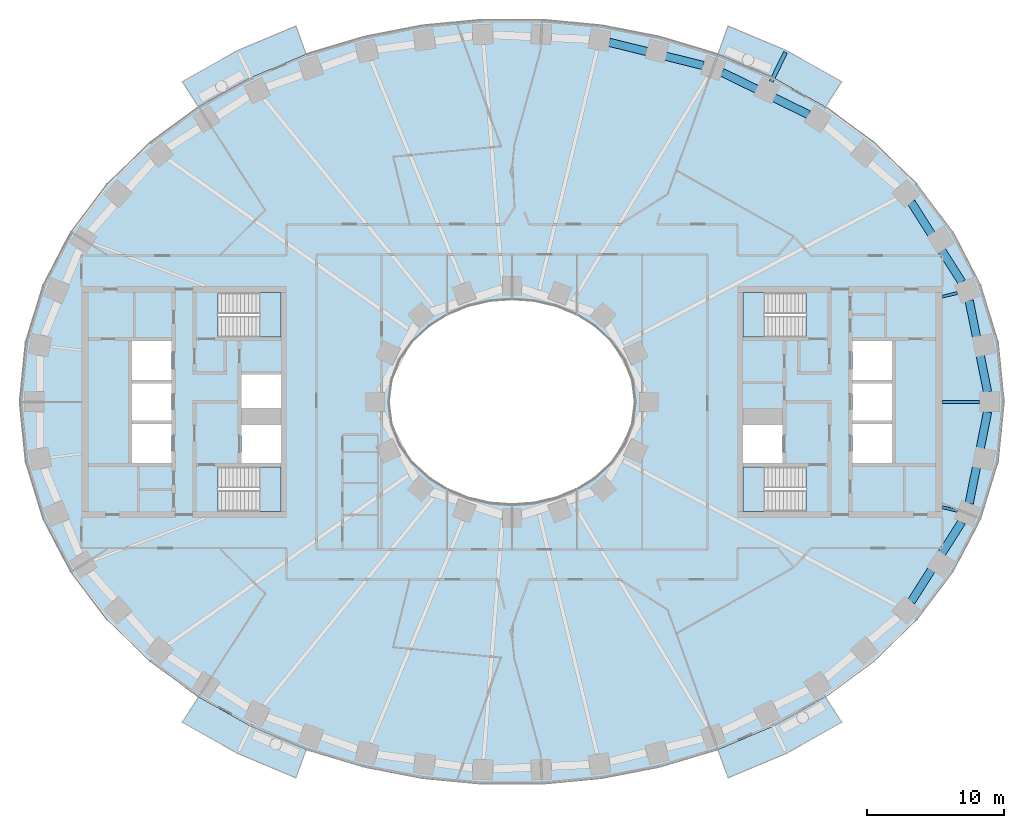
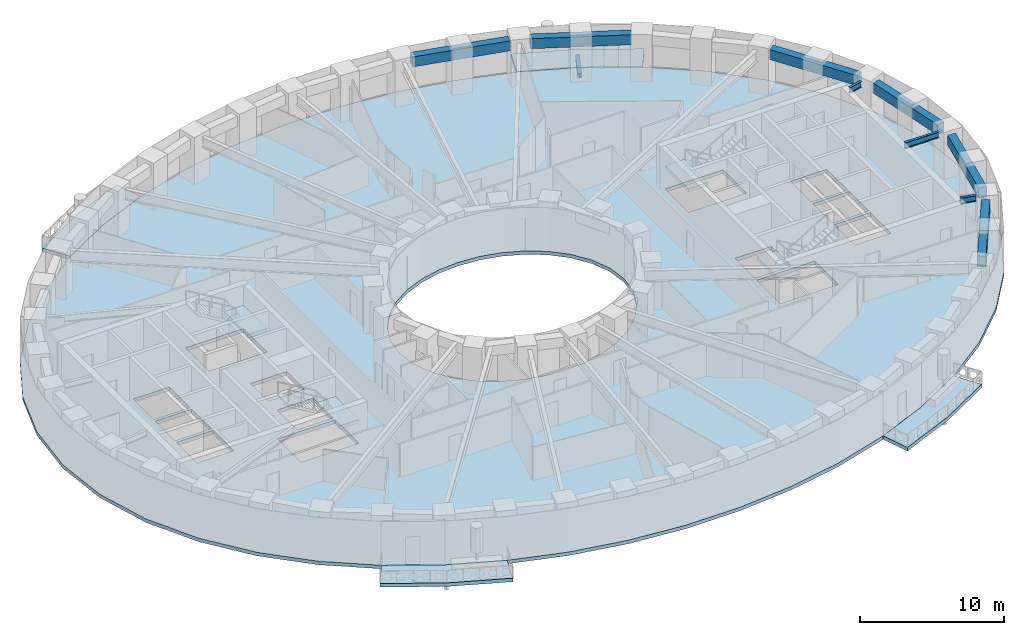
# One storey, part 2 of 15: 10 beams, 9 slabs, 4 elements without a shape of their own.
"""IFC4 building model written with IfcOpenShell, lengths in metres."""

from ifc_helpers import new_model, si_unit, direction, frame, origin, origin_2d, place, context, subcontext, project, spatial, polyline, rectangle, i_section, outline, extrude, material, layer, layer_set, material_profile, profile_set, type_object, element, aggregate, save


model = new_model("IFC4")

# Units and contexts
model_context = context("Model", 3, precision=1e-05, world=origin(), true_north=direction((0.0, 1.0)))
body_context = subcontext(model_context, "Body", "Model", "MODEL_VIEW")
ifc_project = project(units=[si_unit("LENGTHUNIT", "METRE"), si_unit("AREAUNIT", "SQUARE_METRE"), si_unit("VOLUMEUNIT", "CUBIC_METRE"), si_unit("PLANEANGLEUNIT", "RADIAN"), si_unit("MASSUNIT", "GRAM", prefix="KILO")], contexts=[model_context])

# Site, building, storey
site_placement = place(None, origin())
site = spatial("IfcSite", under=ifc_project, at=site_placement, CompositionType="ELEMENT")
building_placement = place(site_placement, origin())
building = spatial("IfcBuilding", under=site, at=building_placement, Name="Noorbagh Ring Tower", CompositionType="ELEMENT")
storey_placement = place(building_placement, frame((0.0, 0.0, 50.5)))
storey = spatial("IfcBuildingStorey", under=building, at=storey_placement, Name="L10", CompositionType="ELEMENT", Elevation=50.5)

# Beams
ifc_material_1 = material(Name="Steel S355", Category="steel")
ifc_material_profile_1 = material_profile(ifc_material_1, i_section(OverallWidth=0.300048828125, OverallDepth=0.39990234375, WebThickness=0.013427734375, FlangeThickness=0.02392578125, FilletRadius=0.027099609375, at=origin_2d()), Name="HEB400")
ifc_profile_set_1 = profile_set([ifc_material_profile_1], Name="Steel S355")
beam_type_1 = type_object("IfcBeamType", Name="STR-BALCONY-BRACKET-HEB400", PredefinedType="BEAM", material=ifc_profile_set_1)
beam_1_placement = place(storey_placement, frame((18.967041015625, 23.441162109375, -0.5), z_axis=(0.439219349849, 0.898379854359, 0.0), x_axis=(-0.898379854359, 0.439219349849, 0.0)))
element("IfcBeam", 1, at=beam_1_placement, inside=storey, type_object=beam_type_1, Name="Balcony bracket beam BN02", PredefinedType="BEAM", context=body_context, shape_type="SweptSolid", body=[
    extrude(i_section(OverallWidth=0.300048828125, OverallDepth=0.39990234375, WebThickness=0.013427734375, FlangeThickness=0.02392578125, FilletRadius=0.027099609375, at=origin_2d()), origin(), (0.0, 0.0, 1.0), 2.375244140625),
])
ifc_material_2 = material(Name="Steel S355", Category="steel")
ifc_material_profile_2 = material_profile(ifc_material_2, i_section(OverallWidth=0.199951171875, OverallDepth=0.5, WebThickness=0.01025390625, FlangeThickness=0.01611328125, FilletRadius=0.02099609375, at=origin_2d()), Name="IPE500")
ifc_profile_set_2 = profile_set([ifc_material_profile_2], Name="Steel S355")
beam_type_2 = type_object("IfcBeamType", Name="STR-RAD-IPE500", PredefinedType="BEAM", material=ifc_profile_set_2)
beam_2_placement = place(storey_placement, frame((34.214599609375, 0.0, 3.449951171875), z_axis=(-1.0, 0.0, 0.0), x_axis=(0.0, -1.0, 0.0)))
element("IfcBeam", 2, at=beam_2_placement, inside=storey, type_object=beam_type_2, Name="L10/bm/RD01", PredefinedType="BEAM", context=body_context, shape_type="SweptSolid", body=[
    extrude(i_section(OverallWidth=0.199951171875, OverallDepth=0.5, WebThickness=0.01025390625, FlangeThickness=0.01611328125, FilletRadius=0.02099609375, at=origin_2d()), origin(), (0.0, 0.0, 1.0), 2.734619140625),
])
for number, where, z_axis, x_axis, name in (
    (3, (32.587890625, 7.973876953125, 3.449951171875), (-0.971339703518, -0.237695562369, 0.0), (0.237695562369, -0.971339703518, 0.0), "L10/bm/RD03"),
    (4, (32.587890625, -7.973876953125, 3.449951171875), (-0.971339703518, 0.237695562369, 0.0), (-0.237695562369, -0.971339703518, 0.0), "L10/bm/RD45"),
):
    element("IfcBeam", number, at=place(storey_placement, frame(where, z_axis=z_axis, x_axis=x_axis)), inside=storey, type_object=beam_type_2, Name=name, PredefinedType="BEAM", context=body_context, shape_type="SweptSolid", body=[
        extrude(i_section(OverallWidth=0.199951171875, OverallDepth=0.5, WebThickness=0.01025390625, FlangeThickness=0.01611328125, FilletRadius=0.02099609375, at=origin_2d()), origin(), (0.0, 0.0, 1.0), 1.14013671875),
    ])
ifc_material_3 = material(Name="Concrete C40/50", Category="concrete")
ifc_material_profile_3 = material_profile(ifc_material_3, rectangle(XDim=0.60009765625, YDim=0.85009765625, at=origin_2d()), Name="RC600x850")
ifc_profile_set_3 = profile_set([ifc_material_profile_3], Name="Concrete C40/50")
beam_type_3 = type_object("IfcBeamType", Name="STR-SB-RC600x850-C40-50", PredefinedType="BEAM", material=ifc_profile_set_3)
beam_3_placement = place(storey_placement, frame((34.7978515625, 0.73046875, 3.27490234375), z_axis=(-0.197244389947, 0.980354349526, 0.0), x_axis=(-0.980354349526, -0.197244389947, 0.0)))
element("IfcBeam", 5, at=beam_3_placement, inside=storey, type_object=beam_type_3, Name="L10/bm/SP01", PredefinedType="BEAM", context=body_context, shape_type="SweptSolid", body=[
    extrude(rectangle(XDim=0.60009765625, YDim=0.85009765625, at=origin_2d()), origin(), (0.0, 0.0, 1.0), 6.82373046875),
])
beam_4_placement = place(storey_placement, frame((32.908203125, 8.77587890625, 3.27490234375), z_axis=(-0.535194304559, 0.844728983975, 0.0), x_axis=(-0.844728983975, -0.535194304559, 0.0)))
element("IfcBeam", 6, at=beam_4_placement, inside=storey, type_object=beam_type_3, Name="L10/bm/SP03", PredefinedType="BEAM", context=body_context, shape_type="SweptSolid", body=[
    extrude(rectangle(XDim=0.60009765625, YDim=0.85009765625, at=origin_2d()), origin(), (0.0, 0.0, 1.0), 6.9013671875),
])
beam_5_placement = place(storey_placement, frame((21.701416015625, 21.02294921875, 3.27490234375), z_axis=(-0.898409265653, 0.439159186843, 0.0), x_axis=(-0.439159186843, -0.898409265653, 0.0)))
element("IfcBeam", 7, at=beam_5_placement, inside=storey, type_object=beam_type_3, Name="L10/bm/SP07", PredefinedType="BEAM", context=body_context, shape_type="SweptSolid", body=[
    extrude(rectangle(XDim=0.60009765625, YDim=0.85009765625, at=origin_2d()), origin(), (0.0, 0.0, 1.0), 7.048095703125),
])
beam_6_placement = place(storey_placement, frame((13.996826171875, 24.616943359375, 3.27490234375), z_axis=(-0.970830070282, 0.23976858559, 0.0), x_axis=(-0.23976858559, -0.970830070282, 0.0)))
element("IfcBeam", 8, at=beam_6_placement, inside=storey, type_object=beam_type_3, Name="L10/bm/SP09", PredefinedType="BEAM", context=body_context, shape_type="SweptSolid", body=[
    extrude(rectangle(XDim=0.60009765625, YDim=0.85009765625, at=origin_2d()), origin(), (0.0, 0.0, 1.0), 7.081787109375),
])
beam_7_placement = place(storey_placement, frame((29.214599609375, -14.605712890625, 3.27490234375), z_axis=(0.535194304559, 0.844728983975, 0.0), x_axis=(-0.844728983975, 0.535194304559, 0.0)))
element("IfcBeam", 9, at=beam_7_placement, inside=storey, type_object=beam_type_3, Name="L10/bm/SP43", PredefinedType="BEAM", context=body_context, shape_type="SweptSolid", body=[
    extrude(rectangle(XDim=0.60009765625, YDim=0.85009765625, at=origin_2d()), origin(), (0.0, 0.0, 1.0), 6.9013671875),
])
beam_8_placement = place(storey_placement, frame((33.451904296875, -7.420166015625, 3.27490234375), z_axis=(0.197244389947, 0.980354349526, 0.0), x_axis=(-0.980354349526, 0.197244389947, 0.0)))
element("IfcBeam", 10, at=beam_8_placement, inside=storey, type_object=beam_type_3, Name="L10/bm/SP45", PredefinedType="BEAM", context=body_context, shape_type="SweptSolid", body=[
    extrude(rectangle(XDim=0.60009765625, YDim=0.85009765625, at=origin_2d()), origin(), (0.0, 0.0, 1.0), 6.82373046875),
])

# Stair, slab
ifc_material_4 = material(Name="Concrete C40/50", Category="concrete")
stair_type = type_object("IfcStairType", Name="CORE-STAIR", PredefinedType="HALF_TURN_STAIR", material=ifc_material_4)
stair_1_placement = place(storey_placement, origin())
stair_1 = element("IfcStair", 11, at=stair_1_placement, inside=storey, type_object=stair_type, Name="L10 Exit stair ST1", PredefinedType="HALF_TURN_STAIR")
ifc_material_5 = material(Name="Concrete C40/50", Category="concrete")
ifc_layer_1 = layer(ifc_material_5, 0.300048828125)
ifc_layer_set_1 = layer_set([ifc_layer_1], Name="Concrete C40/50")
slab_type_1 = type_object("IfcSlabType", Name="CORE-STAIR-LANDING", PredefinedType="LANDING", material=ifc_layer_set_1)
slab_1_placement = place(storey_placement, frame((0.0, 0.0, 1.699951171875)))
slab_1 = element("IfcSlab", 12, at=slab_1_placement, type_object=slab_type_1, Name="ST1 landing 1", PredefinedType="LANDING", context=body_context, shape_type="SweptSolid", body=[
    extrude(outline(polyline([(-18.449951171875, 4.75), (-16.89990234375, 4.75), (-16.89990234375, 8.0), (-18.449951171875, 8.0), (-18.449951171875, 4.75)])), origin(), (0.0, 0.0, 1.0), 0.300048828125),
])
aggregate(stair_1, [slab_1])

stair_2_placement = place(storey_placement, origin())
stair_2 = element("IfcStair", 13, at=stair_2_placement, inside=storey, type_object=stair_type, Name="L10 Exit stair ST2", PredefinedType="HALF_TURN_STAIR")
slab_2_placement = place(storey_placement, frame((0.0, 0.0, 1.699951171875)))
slab_2 = element("IfcSlab", 14, at=slab_2_placement, type_object=slab_type_1, Name="ST2 landing 1", PredefinedType="LANDING", context=body_context, shape_type="SweptSolid", body=[
    extrude(outline(polyline([(-18.449951171875, -8.0), (-16.89990234375, -8.0), (-16.89990234375, -4.75), (-18.449951171875, -4.75), (-18.449951171875, -8.0)])), origin(), (0.0, 0.0, 1.0), 0.300048828125),
])
aggregate(stair_2, [slab_2])

stair_3_placement = place(storey_placement, origin())
stair_3 = element("IfcStair", 15, at=stair_3_placement, inside=storey, type_object=stair_type, Name="L10 Exit stair ST3", PredefinedType="HALF_TURN_STAIR")
slab_3_placement = place(storey_placement, frame((0.0, 0.0, 1.699951171875)))
slab_3 = element("IfcSlab", 16, at=slab_3_placement, type_object=slab_type_1, Name="ST3 landing 1", PredefinedType="LANDING", context=body_context, shape_type="SweptSolid", body=[
    extrude(outline(polyline([(18.449951171875, 8.0), (16.89990234375, 8.0), (16.89990234375, 4.75), (18.449951171875, 4.75), (18.449951171875, 8.0)])), origin(), (0.0, 0.0, 1.0), 0.300048828125),
])
aggregate(stair_3, [slab_3])

stair_4_placement = place(storey_placement, origin())
stair_4 = element("IfcStair", 17, at=stair_4_placement, inside=storey, type_object=stair_type, Name="L10 Exit stair ST4", PredefinedType="HALF_TURN_STAIR")
slab_4_placement = place(storey_placement, frame((0.0, 0.0, 1.699951171875)))
slab_4 = element("IfcSlab", 18, at=slab_4_placement, type_object=slab_type_1, Name="ST4 landing 1", PredefinedType="LANDING", context=body_context, shape_type="SweptSolid", body=[
    extrude(outline(polyline([(18.449951171875, -4.75), (16.89990234375, -4.75), (16.89990234375, -8.0), (18.449951171875, -8.0), (18.449951171875, -4.75)])), origin(), (0.0, 0.0, 1.0), 0.300048828125),
])
aggregate(stair_4, [slab_4])

# Slabs
ifc_material_6 = material(Name="Concrete C40/50", Category="concrete")
ifc_layer_2 = layer(ifc_material_6, 0.300048828125)
ifc_layer_set_2 = layer_set([ifc_layer_2], Name="Concrete C40/50")
slab_type_2 = type_object("IfcSlabType", Name="ENV-BALCONY DECK 300", PredefinedType="FLOOR", material=ifc_layer_set_2)
slab_5_placement = place(storey_placement, frame((0.0, 0.0, -0.300048828125)))
element("IfcSlab", 19, at=slab_5_placement, inside=storey, type_object=slab_type_2, Name="Tree balcony deck BN02", PredefinedType="FLOOR", context=body_context, shape_type="SweptSolid", body=[
    extrude(outline(polyline([(24.1279296875, 23.435791015625), (20.076171875, 25.709716796875), (15.810791015625, 27.50341796875), (15.0654296875, 25.430419921875), (19.108154296875, 23.730224609375), (22.9326171875, 21.583740234375), (24.1279296875, 23.435791015625)])), origin(), (0.0, 0.0, 1.0), 0.300048828125),
])
slab_6_placement = place(storey_placement, frame((0.0, 0.0, -0.300048828125)))
element("IfcSlab", 20, at=slab_6_placement, inside=storey, type_object=slab_type_2, Name="Tree balcony deck BN05", PredefinedType="FLOOR", context=body_context, shape_type="SweptSolid", body=[
    extrude(outline(polyline([(-15.810791015625, 27.50341796875), (-20.076171875, 25.709716796875), (-24.1279296875, 23.435791015625), (-22.9326171875, 21.583740234375), (-19.108154296875, 23.730224609375), (-15.0654296875, 25.430419921875), (-15.810791015625, 27.50341796875)])), origin(), (0.0, 0.0, 1.0), 0.300048828125),
])
slab_7_placement = place(storey_placement, frame((0.0, 0.0, -0.300048828125)))
element("IfcSlab", 21, at=slab_7_placement, inside=storey, type_object=slab_type_2, Name="Tree balcony deck BS02", PredefinedType="FLOOR", context=body_context, shape_type="SweptSolid", body=[
    extrude(outline(polyline([(-24.1279296875, -23.435791015625), (-20.076171875, -25.709716796875), (-15.810791015625, -27.50341796875), (-15.0654296875, -25.430419921875), (-19.108154296875, -23.730224609375), (-22.9326171875, -21.583740234375), (-24.1279296875, -23.435791015625)])), origin(), (0.0, 0.0, 1.0), 0.300048828125),
])
slab_8_placement = place(storey_placement, frame((0.0, 0.0, -0.300048828125)))
element("IfcSlab", 22, at=slab_8_placement, inside=storey, type_object=slab_type_2, Name="Tree balcony deck BS05", PredefinedType="FLOOR", context=body_context, shape_type="SweptSolid", body=[
    extrude(outline(polyline([(15.810791015625, -27.50341796875), (20.076171875, -25.709716796875), (24.1279296875, -23.435791015625), (22.9326171875, -21.583740234375), (19.108154296875, -23.730224609375), (15.0654296875, -25.430419921875), (15.810791015625, -27.50341796875)])), origin(), (0.0, 0.0, 1.0), 0.300048828125),
])
ifc_material_7 = material(Name="Concrete C40/50", Category="concrete")
ifc_layer_3 = layer(ifc_material_7, 0.300048828125)
ifc_layer_set_3 = layer_set([ifc_layer_3], Name="Concrete C40/50")
slab_type_3 = type_object("IfcSlabType", Name="STR-FLOOR-DECK-300", PredefinedType="FLOOR", material=ifc_layer_set_3)
slab_9_placement = place(storey_placement, frame((0.0, 0.0, -0.300048828125)))
element("IfcSlab", 23, at=slab_9_placement, inside=storey, type_object=slab_type_3, Name="L10/slab/1", PredefinedType="FLOOR", context=body_context, shape_type="SweptSolid", body=[
    extrude(outline(polyline([(36.0, 0.0), (35.56103515625, 4.358642578125), (34.281005859375, 8.548828125), (32.255126953125, 12.434814453125), (29.607666015625, 15.92822265625), (26.463134765625, 18.983154296875), (22.9326171875, 21.583740234375), (19.108154296875, 23.730224609375), (15.0654296875, 25.430419921875), (10.865234375, 26.6943359375), (6.5595703125, 27.53125), (2.193115234375, 27.947998046875), (-2.193115234375, 27.947998046875), (-6.5595703125, 27.53125), (-10.865234375, 26.6943359375), (-15.0654296875, 25.430419921875), (-19.108154296875, 23.730224609375), (-22.9326171875, 21.583740234375), (-26.463134765625, 18.983154296875), (-29.607666015625, 15.92822265625), (-32.255126953125, 12.434814453125), (-34.281005859375, 8.548828125), (-35.56103515625, 4.358642578125), (-36.0, 0.0), (-35.56103515625, -4.358642578125), (-34.281005859375, -8.548828125), (-32.255126953125, -12.434814453125), (-29.607666015625, -15.92822265625), (-26.463134765625, -18.983154296875), (-22.9326171875, -21.583740234375), (-19.108154296875, -23.730224609375), (-15.0654296875, -25.430419921875), (-10.865234375, -26.6943359375), (-6.5595703125, -27.53125), (-2.193115234375, -27.947998046875), (2.193115234375, -27.947998046875), (6.5595703125, -27.53125), (10.865234375, -26.6943359375), (15.0654296875, -25.430419921875), (19.108154296875, -23.730224609375), (22.9326171875, -21.583740234375), (26.463134765625, -18.983154296875), (29.607666015625, -15.92822265625), (32.255126953125, -12.434814453125), (34.281005859375, -8.548828125), (35.56103515625, -4.358642578125), (36.0, 0.0)]), holes=[polyline([(24.89990234375, -1.60009765625), (27.800048828125, -1.60009765625), (27.800048828125, -4.449951171875), (24.89990234375, -4.449951171875), (24.89990234375, -1.60009765625)]), polyline([(24.89990234375, 1.35009765625), (27.800048828125, 1.35009765625), (27.800048828125, -1.35009765625), (24.89990234375, -1.35009765625), (24.89990234375, 1.35009765625)]), polyline([(24.89990234375, 4.449951171875), (27.800048828125, 4.449951171875), (27.800048828125, 1.60009765625), (24.89990234375, 1.60009765625), (24.89990234375, 4.449951171875)]), polyline([(21.529541015625, -4.75), (21.529541015625, -8.0), (16.89990234375, -8.0), (16.89990234375, -4.75), (21.529541015625, -4.75)]), polyline([(21.529541015625, 4.75), (16.89990234375, 4.75), (16.89990234375, 8.0), (21.529541015625, 8.0), (21.529541015625, 4.75)]), polyline([(16.89990234375, -1.699951171875), (19.800048828125, -1.699951171875), (19.800048828125, -4.449951171875), (16.89990234375, -4.449951171875), (16.89990234375, -1.699951171875)]), polyline([(4.697509765625, -6.3974609375), (3.196533203125, -7.010986328125), (1.6171875, -7.3779296875), (0.0, -7.5), (-1.6171875, -7.3779296875), (-3.196533203125, -7.010986328125), (-4.697509765625, -6.3974609375), (-6.071044921875, -5.53662109375), (-7.2587890625, -4.43408203125), (-8.1904296875, -3.10888671875), (-8.79150390625, -1.605224609375), (-9.0, 0.0), (-8.79150390625, 1.605224609375), (-8.1904296875, 3.10888671875), (-7.2587890625, 4.43408203125), (-6.071044921875, 5.53662109375), (-4.697509765625, 6.3974609375), (-3.196533203125, 7.010986328125), (-1.6171875, 7.3779296875), (0.0, 7.5), (1.6171875, 7.3779296875), (3.196533203125, 7.010986328125), (4.697509765625, 6.3974609375), (6.071044921875, 5.53662109375), (7.2587890625, 4.43408203125), (8.1904296875, 3.10888671875), (8.79150390625, 1.605224609375), (9.0, 0.0), (8.79150390625, -1.605224609375), (8.1904296875, -3.10888671875), (7.2587890625, -4.43408203125), (6.071044921875, -5.53662109375), (4.697509765625, -6.3974609375)]), polyline([(-21.529541015625, -8.0), (-21.529541015625, -4.75), (-16.89990234375, -4.75), (-16.89990234375, -8.0), (-21.529541015625, -8.0)]), polyline([(-21.529541015625, 8.0), (-16.89990234375, 8.0), (-16.89990234375, 4.75), (-21.529541015625, 4.75), (-21.529541015625, 8.0)]), polyline([(-16.89990234375, -4.449951171875), (-19.800048828125, -4.449951171875), (-19.800048828125, -1.699951171875), (-16.89990234375, -1.699951171875), (-16.89990234375, -4.449951171875)]), polyline([(-16.89990234375, -0.449951171875), (-19.800048828125, -0.449951171875), (-19.800048828125, 2.0), (-16.89990234375, 2.0), (-16.89990234375, -0.449951171875)]), polyline([(-24.89990234375, -4.449951171875), (-27.800048828125, -4.449951171875), (-27.800048828125, -1.60009765625), (-24.89990234375, -1.60009765625), (-24.89990234375, -4.449951171875)]), polyline([(-24.89990234375, -1.35009765625), (-27.800048828125, -1.35009765625), (-27.800048828125, 1.35009765625), (-24.89990234375, 1.35009765625), (-24.89990234375, -1.35009765625)]), polyline([(-24.89990234375, 1.60009765625), (-27.800048828125, 1.60009765625), (-27.800048828125, 4.449951171875), (-24.89990234375, 4.449951171875), (-24.89990234375, 1.60009765625)])]), origin(), (0.0, 0.0, 1.0), 0.300048828125),
])

save(model, "model.ifc")
